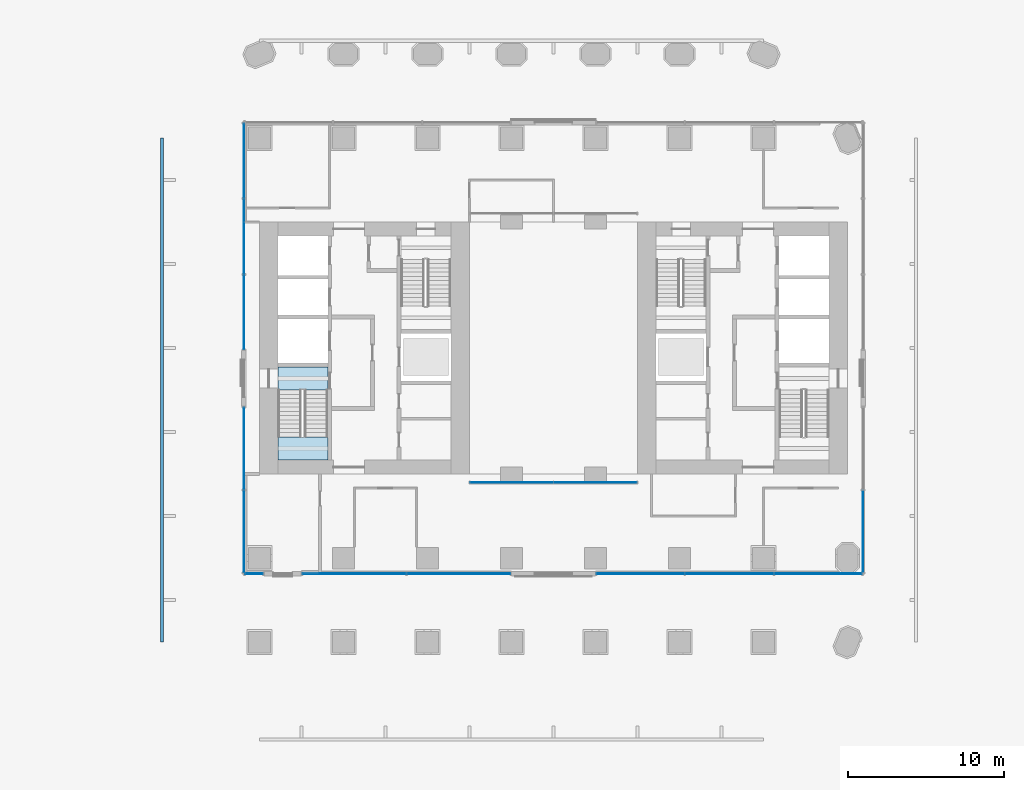
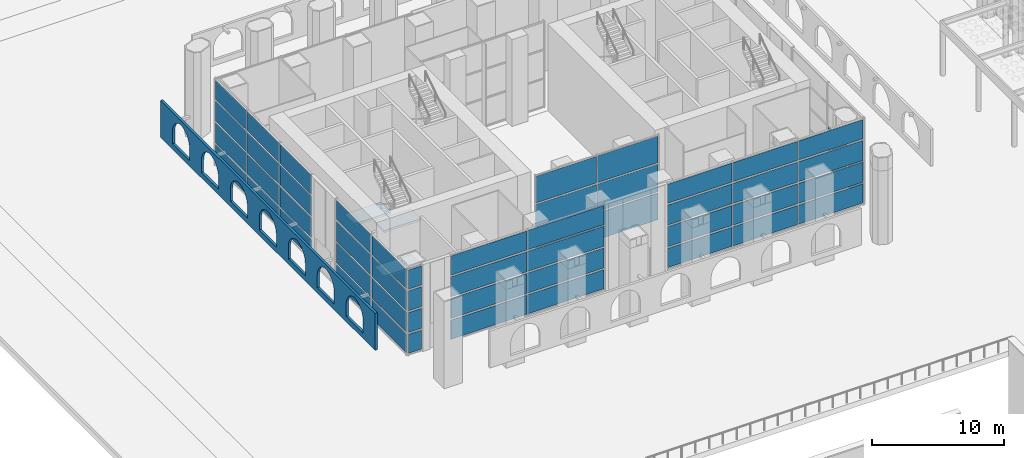
# One storey, part 18 of 54: 53 plates, 3 slabs, 8 elements without a shape of their own.
"""IFC4 building model written with IfcOpenShell, lengths in metres."""

from ifc_helpers import new_model, si_unit, direction, frame, origin, origin_2d, place, context, subcontext, project, spatial, polyline, rectangle, outline, extrude, material, layer, layer_set, type_object, element, aggregate, save


model = new_model("IFC4")

# Units and contexts
model_context = context("Model", 3, precision=1e-05, world=origin(), true_north=direction((0.0, 1.0)))
body_context = subcontext(model_context, "Body", "Model", "MODEL_VIEW")
ifc_project = project(units=[si_unit("LENGTHUNIT", "METRE"), si_unit("AREAUNIT", "SQUARE_METRE"), si_unit("VOLUMEUNIT", "CUBIC_METRE"), si_unit("PLANEANGLEUNIT", "RADIAN"), si_unit("MASSUNIT", "GRAM", prefix="KILO")], contexts=[model_context])

# Site, building, storey
site_placement = place(None, origin())
site = spatial("IfcSite", under=ifc_project, at=site_placement, CompositionType="ELEMENT")
building_placement = place(site_placement, origin())
building = spatial("IfcBuilding", under=site, at=building_placement, Name="Tabaq Tower and Sports Hall", CompositionType="ELEMENT")
storey_placement = place(building_placement, origin())
storey = spatial("IfcBuildingStorey", under=building, at=storey_placement, Name="L00", CompositionType="ELEMENT", Elevation=0.0)

# Curtain wall, plates
ifc_material_1 = material(Name="Aluminium alloy 6063-T6 framed glazing", Category="aluminium")
curtain_wall_type_1 = type_object("IfcCurtainWallType", Name="CW1 curtain wall", PredefinedType="USERDEFINED", material=ifc_material_1)
curtain_wall_1_placement = place(storey_placement, origin())
curtain_wall_1 = element("IfcCurtainWall", 1, at=curtain_wall_1_placement, inside=storey, type_object=curtain_wall_type_1, Name="Atrium glazing L00 S", ObjectType="ATRIUM ENCLOSURE", PredefinedType="USERDEFINED")
ifc_material_2 = material(Name="Clear low-emissivity glass 28 mm", Category="glass")
ifc_layer_1 = layer(ifc_material_2, 0.028076171875)
ifc_layer_set_1 = layer_set([ifc_layer_1], Name="CW1 glass panel 28")
plate_type_1 = type_object("IfcPlateType", Name="CW1 glass panel 28", PredefinedType="CURTAIN_PANEL", material=ifc_layer_set_1)
plate_1_placement = place(storey_placement, frame((21.614990234375, 15.64990234375, 0.14013671875), z_axis=(0.0, 0.0, 1.0), x_axis=(1.0, 0.0, 0.0)))
plate_1 = element("IfcPlate", 2, at=plate_1_placement, type_object=plate_type_1, Name="CW1 panel 1.1", PredefinedType="CURTAIN_PANEL", context=body_context, shape_type="SweptSolid", body=[
    extrude(rectangle(XDim=5.31005859375, YDim=0.028076171875, at=origin_2d()), origin(), (0.0, 0.0, 1.0), 2.456787109375),
])
plate_2_placement = place(storey_placement, frame((21.614990234375, 15.64990234375, 2.73681640625), z_axis=(0.0, 0.0, 1.0), x_axis=(1.0, 0.0, 0.0)))
plate_2 = element("IfcPlate", 3, at=plate_2_placement, type_object=plate_type_1, Name="CW1 panel 1.2", PredefinedType="CURTAIN_PANEL", context=body_context, shape_type="SweptSolid", body=[
    extrude(rectangle(XDim=5.31005859375, YDim=0.028076171875, at=origin_2d()), origin(), (0.0, 0.0, 1.0), 2.526611328125),
])
plate_3_placement = place(storey_placement, frame((21.614990234375, 15.64990234375, 5.4033203125), z_axis=(0.0, 0.0, 1.0), x_axis=(1.0, 0.0, 0.0)))
plate_3 = element("IfcPlate", 4, at=plate_3_placement, type_object=plate_type_1, Name="CW1 panel 1.3", PredefinedType="CURTAIN_PANEL", context=body_context, shape_type="SweptSolid", body=[
    extrude(rectangle(XDim=5.31005859375, YDim=0.028076171875, at=origin_2d()), origin(), (0.0, 0.0, 1.0), 2.456787109375),
])
plate_4_placement = place(storey_placement, frame((26.985107421875, 15.64990234375, 0.14013671875), z_axis=(0.0, 0.0, 1.0), x_axis=(1.0, 0.0, 0.0)))
plate_4 = element("IfcPlate", 5, at=plate_4_placement, type_object=plate_type_1, Name="CW1 panel 2.1", PredefinedType="CURTAIN_PANEL", context=body_context, shape_type="SweptSolid", body=[
    extrude(rectangle(XDim=5.31005859375, YDim=0.028076171875, at=origin_2d()), origin(), (0.0, 0.0, 1.0), 2.456787109375),
])
plate_5_placement = place(storey_placement, frame((26.985107421875, 15.64990234375, 2.73681640625), z_axis=(0.0, 0.0, 1.0), x_axis=(1.0, 0.0, 0.0)))
plate_5 = element("IfcPlate", 6, at=plate_5_placement, type_object=plate_type_1, Name="CW1 panel 2.2", PredefinedType="CURTAIN_PANEL", context=body_context, shape_type="SweptSolid", body=[
    extrude(rectangle(XDim=5.31005859375, YDim=0.028076171875, at=origin_2d()), origin(), (0.0, 0.0, 1.0), 2.526611328125),
])
plate_6_placement = place(storey_placement, frame((26.985107421875, 15.64990234375, 5.4033203125), z_axis=(0.0, 0.0, 1.0), x_axis=(1.0, 0.0, 0.0)))
plate_6 = element("IfcPlate", 7, at=plate_6_placement, type_object=plate_type_1, Name="CW1 panel 2.3", PredefinedType="CURTAIN_PANEL", context=body_context, shape_type="SweptSolid", body=[
    extrude(rectangle(XDim=5.31005859375, YDim=0.028076171875, at=origin_2d()), origin(), (0.0, 0.0, 1.0), 2.456787109375),
])
aggregate(curtain_wall_1, [plate_1, plate_2, plate_3, plate_4, plate_5, plate_6])

ifc_material_3 = material(Name="Aluminium alloy 6063-T6 framed glazing", Category="aluminium")
curtain_wall_type_2 = type_object("IfcCurtainWallType", Name="CW4 curtain wall", PredefinedType="USERDEFINED", material=ifc_material_3)
curtain_wall_2_placement = place(storey_placement, origin())
curtain_wall_2 = element("IfcCurtainWall", 8, at=curtain_wall_2_placement, inside=storey, type_object=curtain_wall_type_2, Name="Ground lobby wall S", ObjectType="GROUND LOBBY WALL", PredefinedType="USERDEFINED")
ifc_material_4 = material(Name="Clear low-emissivity glass 28 mm", Category="glass")
ifc_layer_2 = layer(ifc_material_4, 0.035888671875)
ifc_layer_set_2 = layer_set([ifc_layer_2], Name="CW4 glass panel 36")
plate_type_2 = type_object("IfcPlateType", Name="CW4 glass panel 36", PredefinedType="CURTAIN_PANEL", material=ifc_layer_set_2)
plate_7_placement = place(storey_placement, frame((41.313232421875, 9.800048828125, 0.16015625), z_axis=(0.0, 0.0, 1.0), x_axis=(-1.0, 0.0, 0.0)))
plate_7 = element("IfcPlate", 9, at=plate_7_placement, type_object=plate_type_2, Name="CW4 panel 1.1", PredefinedType="CURTAIN_PANEL", context=body_context, shape_type="SweptSolid", body=[
    extrude(rectangle(XDim=5.61328125, YDim=0.035888671875, at=origin_2d()), origin(), (0.0, 0.0, 1.0), 1.760009765625),
])
plate_8_placement = place(storey_placement, frame((41.313232421875, 9.800048828125, 2.080078125), z_axis=(0.0, 0.0, 1.0), x_axis=(-1.0, 0.0, 0.0)))
plate_8 = element("IfcPlate", 10, at=plate_8_placement, type_object=plate_type_2, Name="CW4 panel 1.2", PredefinedType="CURTAIN_PANEL", context=body_context, shape_type="SweptSolid", body=[
    extrude(rectangle(XDim=5.61328125, YDim=0.035888671875, at=origin_2d()), origin(), (0.0, 0.0, 1.0), 1.840087890625),
])
plate_9_placement = place(storey_placement, frame((41.313232421875, 9.800048828125, 4.080078125), z_axis=(0.0, 0.0, 1.0), x_axis=(-1.0, 0.0, 0.0)))
plate_9 = element("IfcPlate", 11, at=plate_9_placement, type_object=plate_type_2, Name="CW4 panel 1.3", PredefinedType="CURTAIN_PANEL", context=body_context, shape_type="SweptSolid", body=[
    extrude(rectangle(XDim=5.61328125, YDim=0.035888671875, at=origin_2d()), origin(), (0.0, 0.0, 1.0), 1.840087890625),
])
plate_10_placement = place(storey_placement, frame((41.313232421875, 9.800048828125, 6.080078125), z_axis=(0.0, 0.0, 1.0), x_axis=(-1.0, 0.0, 0.0)))
plate_10 = element("IfcPlate", 12, at=plate_10_placement, type_object=plate_type_2, Name="CW4 panel 1.4", PredefinedType="CURTAIN_PANEL", context=body_context, shape_type="SweptSolid", body=[
    extrude(rectangle(XDim=5.61328125, YDim=0.035888671875, at=origin_2d()), origin(), (0.0, 0.0, 1.0), 1.760009765625),
])
plate_11_placement = place(storey_placement, frame((35.60009765625, 9.800048828125, 0.16015625), z_axis=(0.0, 0.0, 1.0), x_axis=(-1.0, 0.0, 0.0)))
plate_11 = element("IfcPlate", 13, at=plate_11_placement, type_object=plate_type_2, Name="CW4 panel 2.1", PredefinedType="CURTAIN_PANEL", context=body_context, shape_type="SweptSolid", body=[
    extrude(rectangle(XDim=5.6533203125, YDim=0.035888671875, at=origin_2d()), origin(), (0.0, 0.0, 1.0), 1.760009765625),
])
plate_12_placement = place(storey_placement, frame((35.60009765625, 9.800048828125, 2.080078125), z_axis=(0.0, 0.0, 1.0), x_axis=(-1.0, 0.0, 0.0)))
plate_12 = element("IfcPlate", 14, at=plate_12_placement, type_object=plate_type_2, Name="CW4 panel 2.2", PredefinedType="CURTAIN_PANEL", context=body_context, shape_type="SweptSolid", body=[
    extrude(rectangle(XDim=5.6533203125, YDim=0.035888671875, at=origin_2d()), origin(), (0.0, 0.0, 1.0), 1.840087890625),
])
plate_13_placement = place(storey_placement, frame((35.60009765625, 9.800048828125, 4.080078125), z_axis=(0.0, 0.0, 1.0), x_axis=(-1.0, 0.0, 0.0)))
plate_13 = element("IfcPlate", 15, at=plate_13_placement, type_object=plate_type_2, Name="CW4 panel 2.3", PredefinedType="CURTAIN_PANEL", context=body_context, shape_type="SweptSolid", body=[
    extrude(rectangle(XDim=5.6533203125, YDim=0.035888671875, at=origin_2d()), origin(), (0.0, 0.0, 1.0), 1.840087890625),
])
plate_14_placement = place(storey_placement, frame((35.60009765625, 9.800048828125, 6.080078125), z_axis=(0.0, 0.0, 1.0), x_axis=(-1.0, 0.0, 0.0)))
plate_14 = element("IfcPlate", 16, at=plate_14_placement, type_object=plate_type_2, Name="CW4 panel 2.4", PredefinedType="CURTAIN_PANEL", context=body_context, shape_type="SweptSolid", body=[
    extrude(rectangle(XDim=5.6533203125, YDim=0.035888671875, at=origin_2d()), origin(), (0.0, 0.0, 1.0), 1.760009765625),
])
plate_15_placement = place(storey_placement, frame((29.88671875, 9.800048828125, 0.16015625), z_axis=(0.0, 0.0, 1.0), x_axis=(-1.0, 0.0, 0.0)))
plate_15 = element("IfcPlate", 17, at=plate_15_placement, type_object=plate_type_2, Name="CW4 panel 3.1", PredefinedType="CURTAIN_PANEL", context=body_context, shape_type="SweptSolid", body=[
    extrude(rectangle(XDim=5.61328125, YDim=0.035888671875, at=origin_2d()), origin(), (0.0, 0.0, 1.0), 1.760009765625),
])
plate_16_placement = place(storey_placement, frame((29.88671875, 9.800048828125, 2.080078125), z_axis=(0.0, 0.0, 1.0), x_axis=(-1.0, 0.0, 0.0)))
plate_16 = element("IfcPlate", 18, at=plate_16_placement, type_object=plate_type_2, Name="CW4 panel 3.2", PredefinedType="CURTAIN_PANEL", context=body_context, shape_type="SweptSolid", body=[
    extrude(rectangle(XDim=5.61328125, YDim=0.035888671875, at=origin_2d()), origin(), (0.0, 0.0, 1.0), 1.840087890625),
])
plate_17_placement = place(storey_placement, frame((29.88671875, 9.800048828125, 4.080078125), z_axis=(0.0, 0.0, 1.0), x_axis=(-1.0, 0.0, 0.0)))
plate_17 = element("IfcPlate", 19, at=plate_17_placement, type_object=plate_type_2, Name="CW4 panel 3.3", PredefinedType="CURTAIN_PANEL", context=body_context, shape_type="SweptSolid", body=[
    extrude(rectangle(XDim=5.61328125, YDim=0.035888671875, at=origin_2d()), origin(), (0.0, 0.0, 1.0), 1.840087890625),
])
plate_18_placement = place(storey_placement, frame((29.88671875, 9.800048828125, 6.080078125), z_axis=(0.0, 0.0, 1.0), x_axis=(-1.0, 0.0, 0.0)))
plate_18 = element("IfcPlate", 20, at=plate_18_placement, type_object=plate_type_2, Name="CW4 panel 3.4", PredefinedType="CURTAIN_PANEL", context=body_context, shape_type="SweptSolid", body=[
    extrude(rectangle(XDim=5.61328125, YDim=0.035888671875, at=origin_2d()), origin(), (0.0, 0.0, 1.0), 1.760009765625),
])
aggregate(curtain_wall_2, [plate_7, plate_8, plate_9, plate_10, plate_11, plate_12, plate_13, plate_14, plate_15, plate_16, plate_17, plate_18])

curtain_wall_3_placement = place(storey_placement, origin())
curtain_wall_3 = element("IfcCurtainWall", 21, at=curtain_wall_3_placement, inside=storey, type_object=curtain_wall_type_2, Name="Ground lobby wall S", ObjectType="GROUND LOBBY WALL", PredefinedType="USERDEFINED")
plate_19_placement = place(storey_placement, frame((18.205078125, 9.800048828125, 0.16015625), z_axis=(0.0, 0.0, 1.0), x_axis=(-1.0, 0.0, 0.0)))
plate_19 = element("IfcPlate", 22, at=plate_19_placement, type_object=plate_type_2, Name="CW4 panel 1.1", PredefinedType="CURTAIN_PANEL", context=body_context, shape_type="SweptSolid", body=[
    extrude(rectangle(XDim=6.6298828125, YDim=0.035888671875, at=origin_2d()), origin(), (0.0, 0.0, 1.0), 1.760009765625),
])
plate_20_placement = place(storey_placement, frame((18.205078125, 9.800048828125, 2.080078125), z_axis=(0.0, 0.0, 1.0), x_axis=(-1.0, 0.0, 0.0)))
plate_20 = element("IfcPlate", 23, at=plate_20_placement, type_object=plate_type_2, Name="CW4 panel 1.2", PredefinedType="CURTAIN_PANEL", context=body_context, shape_type="SweptSolid", body=[
    extrude(rectangle(XDim=6.6298828125, YDim=0.035888671875, at=origin_2d()), origin(), (0.0, 0.0, 1.0), 1.840087890625),
])
plate_21_placement = place(storey_placement, frame((18.205078125, 9.800048828125, 4.080078125), z_axis=(0.0, 0.0, 1.0), x_axis=(-1.0, 0.0, 0.0)))
plate_21 = element("IfcPlate", 24, at=plate_21_placement, type_object=plate_type_2, Name="CW4 panel 1.3", PredefinedType="CURTAIN_PANEL", context=body_context, shape_type="SweptSolid", body=[
    extrude(rectangle(XDim=6.6298828125, YDim=0.035888671875, at=origin_2d()), origin(), (0.0, 0.0, 1.0), 1.840087890625),
])
plate_22_placement = place(storey_placement, frame((18.205078125, 9.800048828125, 6.080078125), z_axis=(0.0, 0.0, 1.0), x_axis=(-1.0, 0.0, 0.0)))
plate_22 = element("IfcPlate", 25, at=plate_22_placement, type_object=plate_type_2, Name="CW4 panel 1.4", PredefinedType="CURTAIN_PANEL", context=body_context, shape_type="SweptSolid", body=[
    extrude(rectangle(XDim=6.6298828125, YDim=0.035888671875, at=origin_2d()), origin(), (0.0, 0.0, 1.0), 1.760009765625),
])
plate_23_placement = place(storey_placement, frame((11.4951171875, 9.800048828125, 0.16015625), z_axis=(0.0, 0.0, 1.0), x_axis=(-1.0, 0.0, 0.0)))
plate_23 = element("IfcPlate", 26, at=plate_23_placement, type_object=plate_type_2, Name="CW4 panel 2.1", PredefinedType="CURTAIN_PANEL", context=body_context, shape_type="SweptSolid", body=[
    extrude(rectangle(XDim=6.6298828125, YDim=0.035888671875, at=origin_2d()), origin(), (0.0, 0.0, 1.0), 1.760009765625),
])
plate_24_placement = place(storey_placement, frame((11.4951171875, 9.800048828125, 2.080078125), z_axis=(0.0, 0.0, 1.0), x_axis=(-1.0, 0.0, 0.0)))
plate_24 = element("IfcPlate", 27, at=plate_24_placement, type_object=plate_type_2, Name="CW4 panel 2.2", PredefinedType="CURTAIN_PANEL", context=body_context, shape_type="SweptSolid", body=[
    extrude(rectangle(XDim=6.6298828125, YDim=0.035888671875, at=origin_2d()), origin(), (0.0, 0.0, 1.0), 1.840087890625),
])
plate_25_placement = place(storey_placement, frame((11.4951171875, 9.800048828125, 4.080078125), z_axis=(0.0, 0.0, 1.0), x_axis=(-1.0, 0.0, 0.0)))
plate_25 = element("IfcPlate", 28, at=plate_25_placement, type_object=plate_type_2, Name="CW4 panel 2.3", PredefinedType="CURTAIN_PANEL", context=body_context, shape_type="SweptSolid", body=[
    extrude(rectangle(XDim=6.6298828125, YDim=0.035888671875, at=origin_2d()), origin(), (0.0, 0.0, 1.0), 1.840087890625),
])
plate_26_placement = place(storey_placement, frame((11.4951171875, 9.800048828125, 6.080078125), z_axis=(0.0, 0.0, 1.0), x_axis=(-1.0, 0.0, 0.0)))
plate_26 = element("IfcPlate", 29, at=plate_26_placement, type_object=plate_type_2, Name="CW4 panel 2.4", PredefinedType="CURTAIN_PANEL", context=body_context, shape_type="SweptSolid", body=[
    extrude(rectangle(XDim=6.6298828125, YDim=0.035888671875, at=origin_2d()), origin(), (0.0, 0.0, 1.0), 1.760009765625),
])
aggregate(curtain_wall_3, [plate_19, plate_20, plate_21, plate_22, plate_23, plate_24, plate_25, plate_26])

curtain_wall_4_placement = place(storey_placement, origin())
curtain_wall_4 = element("IfcCurtainWall", 30, at=curtain_wall_4_placement, inside=storey, type_object=curtain_wall_type_2, Name="Ground lobby wall S", ObjectType="GROUND LOBBY WALL", PredefinedType="USERDEFINED")
plate_27_placement = place(storey_placement, frame((5.050048828125, 9.800048828125, 0.16015625), z_axis=(0.0, 0.0, 1.0), x_axis=(-1.0, 0.0, 0.0)))
plate_27 = element("IfcPlate", 31, at=plate_27_placement, type_object=plate_type_2, Name="CW4 panel 1.1", PredefinedType="CURTAIN_PANEL", context=body_context, shape_type="SweptSolid", body=[
    extrude(rectangle(XDim=1.139892578125, YDim=0.035888671875, at=origin_2d()), origin(), (0.0, 0.0, 1.0), 1.760009765625),
])
plate_28_placement = place(storey_placement, frame((5.050048828125, 9.800048828125, 2.080078125), z_axis=(0.0, 0.0, 1.0), x_axis=(-1.0, 0.0, 0.0)))
plate_28 = element("IfcPlate", 32, at=plate_28_placement, type_object=plate_type_2, Name="CW4 panel 1.2", PredefinedType="CURTAIN_PANEL", context=body_context, shape_type="SweptSolid", body=[
    extrude(rectangle(XDim=1.139892578125, YDim=0.035888671875, at=origin_2d()), origin(), (0.0, 0.0, 1.0), 1.840087890625),
])
plate_29_placement = place(storey_placement, frame((5.050048828125, 9.800048828125, 4.080078125), z_axis=(0.0, 0.0, 1.0), x_axis=(-1.0, 0.0, 0.0)))
plate_29 = element("IfcPlate", 33, at=plate_29_placement, type_object=plate_type_2, Name="CW4 panel 1.3", PredefinedType="CURTAIN_PANEL", context=body_context, shape_type="SweptSolid", body=[
    extrude(rectangle(XDim=1.139892578125, YDim=0.035888671875, at=origin_2d()), origin(), (0.0, 0.0, 1.0), 1.840087890625),
])
plate_30_placement = place(storey_placement, frame((5.050048828125, 9.800048828125, 6.080078125), z_axis=(0.0, 0.0, 1.0), x_axis=(-1.0, 0.0, 0.0)))
plate_30 = element("IfcPlate", 34, at=plate_30_placement, type_object=plate_type_2, Name="CW4 panel 1.4", PredefinedType="CURTAIN_PANEL", context=body_context, shape_type="SweptSolid", body=[
    extrude(rectangle(XDim=1.139892578125, YDim=0.035888671875, at=origin_2d()), origin(), (0.0, 0.0, 1.0), 1.760009765625),
])
aggregate(curtain_wall_4, [plate_27, plate_28, plate_29, plate_30])

curtain_wall_5_placement = place(storey_placement, origin())
curtain_wall_5 = element("IfcCurtainWall", 35, at=curtain_wall_5_placement, inside=storey, type_object=curtain_wall_type_2, Name="Ground lobby wall W", ObjectType="GROUND LOBBY WALL", PredefinedType="USERDEFINED")
plate_31_placement = place(storey_placement, frame((4.39990234375, 12.507568359375, 0.16015625), z_axis=(0.0, 0.0, 1.0), x_axis=(0.0, 1.0, 0.0)))
plate_31 = element("IfcPlate", 36, at=plate_31_placement, type_object=plate_type_2, Name="CW4 panel 1.1", PredefinedType="CURTAIN_PANEL", context=body_context, shape_type="SweptSolid", body=[
    extrude(rectangle(XDim=5.2548828125, YDim=0.035888671875, at=origin_2d()), origin(), (0.0, 0.0, 1.0), 1.760009765625),
])
plate_32_placement = place(storey_placement, frame((4.39990234375, 12.507568359375, 2.080078125), z_axis=(0.0, 0.0, 1.0), x_axis=(0.0, 1.0, 0.0)))
plate_32 = element("IfcPlate", 37, at=plate_32_placement, type_object=plate_type_2, Name="CW4 panel 1.2", PredefinedType="CURTAIN_PANEL", context=body_context, shape_type="SweptSolid", body=[
    extrude(rectangle(XDim=5.2548828125, YDim=0.035888671875, at=origin_2d()), origin(), (0.0, 0.0, 1.0), 1.840087890625),
])
plate_33_placement = place(storey_placement, frame((4.39990234375, 12.507568359375, 4.080078125), z_axis=(0.0, 0.0, 1.0), x_axis=(0.0, 1.0, 0.0)))
plate_33 = element("IfcPlate", 38, at=plate_33_placement, type_object=plate_type_2, Name="CW4 panel 1.3", PredefinedType="CURTAIN_PANEL", context=body_context, shape_type="SweptSolid", body=[
    extrude(rectangle(XDim=5.2548828125, YDim=0.035888671875, at=origin_2d()), origin(), (0.0, 0.0, 1.0), 1.840087890625),
])
plate_34_placement = place(storey_placement, frame((4.39990234375, 12.507568359375, 6.080078125), z_axis=(0.0, 0.0, 1.0), x_axis=(0.0, 1.0, 0.0)))
plate_34 = element("IfcPlate", 39, at=plate_34_placement, type_object=plate_type_2, Name="CW4 panel 1.4", PredefinedType="CURTAIN_PANEL", context=body_context, shape_type="SweptSolid", body=[
    extrude(rectangle(XDim=5.2548828125, YDim=0.035888671875, at=origin_2d()), origin(), (0.0, 0.0, 1.0), 1.760009765625),
])
plate_35_placement = place(storey_placement, frame((4.39990234375, 17.842529296875, 0.16015625), z_axis=(0.0, 0.0, 1.0), x_axis=(0.0, 1.0, 0.0)))
plate_35 = element("IfcPlate", 40, at=plate_35_placement, type_object=plate_type_2, Name="CW4 panel 2.1", PredefinedType="CURTAIN_PANEL", context=body_context, shape_type="SweptSolid", body=[
    extrude(rectangle(XDim=5.2548828125, YDim=0.035888671875, at=origin_2d()), origin(), (0.0, 0.0, 1.0), 1.760009765625),
])
plate_36_placement = place(storey_placement, frame((4.39990234375, 17.842529296875, 2.080078125), z_axis=(0.0, 0.0, 1.0), x_axis=(0.0, 1.0, 0.0)))
plate_36 = element("IfcPlate", 41, at=plate_36_placement, type_object=plate_type_2, Name="CW4 panel 2.2", PredefinedType="CURTAIN_PANEL", context=body_context, shape_type="SweptSolid", body=[
    extrude(rectangle(XDim=5.2548828125, YDim=0.035888671875, at=origin_2d()), origin(), (0.0, 0.0, 1.0), 1.840087890625),
])
plate_37_placement = place(storey_placement, frame((4.39990234375, 17.842529296875, 4.080078125), z_axis=(0.0, 0.0, 1.0), x_axis=(0.0, 1.0, 0.0)))
plate_37 = element("IfcPlate", 42, at=plate_37_placement, type_object=plate_type_2, Name="CW4 panel 2.3", PredefinedType="CURTAIN_PANEL", context=body_context, shape_type="SweptSolid", body=[
    extrude(rectangle(XDim=5.2548828125, YDim=0.035888671875, at=origin_2d()), origin(), (0.0, 0.0, 1.0), 1.840087890625),
])
plate_38_placement = place(storey_placement, frame((4.39990234375, 17.842529296875, 6.080078125), z_axis=(0.0, 0.0, 1.0), x_axis=(0.0, 1.0, 0.0)))
plate_38 = element("IfcPlate", 43, at=plate_38_placement, type_object=plate_type_2, Name="CW4 panel 2.4", PredefinedType="CURTAIN_PANEL", context=body_context, shape_type="SweptSolid", body=[
    extrude(rectangle(XDim=5.2548828125, YDim=0.035888671875, at=origin_2d()), origin(), (0.0, 0.0, 1.0), 1.760009765625),
])
aggregate(curtain_wall_5, [plate_31, plate_32, plate_33, plate_34, plate_35, plate_36, plate_37, plate_38])

curtain_wall_6_placement = place(storey_placement, origin())
curtain_wall_6 = element("IfcCurtainWall", 44, at=curtain_wall_6_placement, inside=storey, type_object=curtain_wall_type_2, Name="Ground lobby wall W", ObjectType="GROUND LOBBY WALL", PredefinedType="USERDEFINED")
plate_39_placement = place(storey_placement, frame((4.39990234375, 26.611572265625, 0.16015625), z_axis=(0.0, 0.0, 1.0), x_axis=(0.0, 1.0, 0.0)))
plate_39 = element("IfcPlate", 45, at=plate_39_placement, type_object=plate_type_2, Name="CW4 panel 1.1", PredefinedType="CURTAIN_PANEL", context=body_context, shape_type="SweptSolid", body=[
    extrude(rectangle(XDim=4.763427734375, YDim=0.035888671875, at=origin_2d()), origin(), (0.0, 0.0, 1.0), 1.760009765625),
])
plate_40_placement = place(storey_placement, frame((4.39990234375, 26.611572265625, 2.080078125), z_axis=(0.0, 0.0, 1.0), x_axis=(0.0, 1.0, 0.0)))
plate_40 = element("IfcPlate", 46, at=plate_40_placement, type_object=plate_type_2, Name="CW4 panel 1.2", PredefinedType="CURTAIN_PANEL", context=body_context, shape_type="SweptSolid", body=[
    extrude(rectangle(XDim=4.763427734375, YDim=0.035888671875, at=origin_2d()), origin(), (0.0, 0.0, 1.0), 1.840087890625),
])
plate_41_placement = place(storey_placement, frame((4.39990234375, 26.611572265625, 4.080078125), z_axis=(0.0, 0.0, 1.0), x_axis=(0.0, 1.0, 0.0)))
plate_41 = element("IfcPlate", 47, at=plate_41_placement, type_object=plate_type_2, Name="CW4 panel 1.3", PredefinedType="CURTAIN_PANEL", context=body_context, shape_type="SweptSolid", body=[
    extrude(rectangle(XDim=4.763427734375, YDim=0.035888671875, at=origin_2d()), origin(), (0.0, 0.0, 1.0), 1.840087890625),
])
plate_42_placement = place(storey_placement, frame((4.39990234375, 26.611572265625, 6.080078125), z_axis=(0.0, 0.0, 1.0), x_axis=(0.0, 1.0, 0.0)))
plate_42 = element("IfcPlate", 48, at=plate_42_placement, type_object=plate_type_2, Name="CW4 panel 1.4", PredefinedType="CURTAIN_PANEL", context=body_context, shape_type="SweptSolid", body=[
    extrude(rectangle(XDim=4.763427734375, YDim=0.035888671875, at=origin_2d()), origin(), (0.0, 0.0, 1.0), 1.760009765625),
])
plate_43_placement = place(storey_placement, frame((4.39990234375, 31.47509765625, 0.16015625), z_axis=(0.0, 0.0, 1.0), x_axis=(0.0, 1.0, 0.0)))
plate_43 = element("IfcPlate", 49, at=plate_43_placement, type_object=plate_type_2, Name="CW4 panel 2.1", PredefinedType="CURTAIN_PANEL", context=body_context, shape_type="SweptSolid", body=[
    extrude(rectangle(XDim=4.80322265625, YDim=0.035888671875, at=origin_2d()), origin(), (0.0, 0.0, 1.0), 1.760009765625),
])
plate_44_placement = place(storey_placement, frame((4.39990234375, 31.47509765625, 2.080078125), z_axis=(0.0, 0.0, 1.0), x_axis=(0.0, 1.0, 0.0)))
plate_44 = element("IfcPlate", 50, at=plate_44_placement, type_object=plate_type_2, Name="CW4 panel 2.2", PredefinedType="CURTAIN_PANEL", context=body_context, shape_type="SweptSolid", body=[
    extrude(rectangle(XDim=4.80322265625, YDim=0.035888671875, at=origin_2d()), origin(), (0.0, 0.0, 1.0), 1.840087890625),
])
plate_45_placement = place(storey_placement, frame((4.39990234375, 31.47509765625, 4.080078125), z_axis=(0.0, 0.0, 1.0), x_axis=(0.0, 1.0, 0.0)))
plate_45 = element("IfcPlate", 51, at=plate_45_placement, type_object=plate_type_2, Name="CW4 panel 2.3", PredefinedType="CURTAIN_PANEL", context=body_context, shape_type="SweptSolid", body=[
    extrude(rectangle(XDim=4.80322265625, YDim=0.035888671875, at=origin_2d()), origin(), (0.0, 0.0, 1.0), 1.840087890625),
])
plate_46_placement = place(storey_placement, frame((4.39990234375, 31.47509765625, 6.080078125), z_axis=(0.0, 0.0, 1.0), x_axis=(0.0, 1.0, 0.0)))
plate_46 = element("IfcPlate", 52, at=plate_46_placement, type_object=plate_type_2, Name="CW4 panel 2.4", PredefinedType="CURTAIN_PANEL", context=body_context, shape_type="SweptSolid", body=[
    extrude(rectangle(XDim=4.80322265625, YDim=0.035888671875, at=origin_2d()), origin(), (0.0, 0.0, 1.0), 1.760009765625),
])
plate_47_placement = place(storey_placement, frame((4.39990234375, 36.33837890625, 0.16015625), z_axis=(0.0, 0.0, 1.0), x_axis=(0.0, 1.0, 0.0)))
plate_47 = element("IfcPlate", 53, at=plate_47_placement, type_object=plate_type_2, Name="CW4 panel 3.1", PredefinedType="CURTAIN_PANEL", context=body_context, shape_type="SweptSolid", body=[
    extrude(rectangle(XDim=4.763427734375, YDim=0.035888671875, at=origin_2d()), origin(), (0.0, 0.0, 1.0), 1.760009765625),
])
plate_48_placement = place(storey_placement, frame((4.39990234375, 36.33837890625, 2.080078125), z_axis=(0.0, 0.0, 1.0), x_axis=(0.0, 1.0, 0.0)))
plate_48 = element("IfcPlate", 54, at=plate_48_placement, type_object=plate_type_2, Name="CW4 panel 3.2", PredefinedType="CURTAIN_PANEL", context=body_context, shape_type="SweptSolid", body=[
    extrude(rectangle(XDim=4.763427734375, YDim=0.035888671875, at=origin_2d()), origin(), (0.0, 0.0, 1.0), 1.840087890625),
])
plate_49_placement = place(storey_placement, frame((4.39990234375, 36.33837890625, 4.080078125), z_axis=(0.0, 0.0, 1.0), x_axis=(0.0, 1.0, 0.0)))
plate_49 = element("IfcPlate", 55, at=plate_49_placement, type_object=plate_type_2, Name="CW4 panel 3.3", PredefinedType="CURTAIN_PANEL", context=body_context, shape_type="SweptSolid", body=[
    extrude(rectangle(XDim=4.763427734375, YDim=0.035888671875, at=origin_2d()), origin(), (0.0, 0.0, 1.0), 1.840087890625),
])
plate_50_placement = place(storey_placement, frame((4.39990234375, 36.33837890625, 6.080078125), z_axis=(0.0, 0.0, 1.0), x_axis=(0.0, 1.0, 0.0)))
plate_50 = element("IfcPlate", 56, at=plate_50_placement, type_object=plate_type_2, Name="CW4 panel 3.4", PredefinedType="CURTAIN_PANEL", context=body_context, shape_type="SweptSolid", body=[
    extrude(rectangle(XDim=4.763427734375, YDim=0.035888671875, at=origin_2d()), origin(), (0.0, 0.0, 1.0), 1.760009765625),
])
aggregate(curtain_wall_6, [plate_39, plate_40, plate_41, plate_42, plate_43, plate_44, plate_45, plate_46, plate_47, plate_48, plate_49, plate_50])

curtain_wall_7_placement = place(storey_placement, origin())
curtain_wall_7 = element("IfcCurtainWall", 57, at=curtain_wall_7_placement, inside=storey, type_object=curtain_wall_type_2, Name="Ground lobby wall E", ObjectType="GROUND LOBBY WALL", PredefinedType="USERDEFINED")
plate_51_placement = place(storey_placement, frame((44.199951171875, 12.507568359375, 0.16015625), z_axis=(0.0, 0.0, 1.0), x_axis=(0.0, -1.0, 0.0)))
plate_51 = element("IfcPlate", 58, at=plate_51_placement, type_object=plate_type_2, Name="CW4 panel 2.1", PredefinedType="CURTAIN_PANEL", context=body_context, shape_type="SweptSolid", body=[
    extrude(rectangle(XDim=5.2548828125, YDim=0.035888671875, at=origin_2d()), origin(), (0.0, 0.0, 1.0), 1.760009765625),
])
plate_52_placement = place(storey_placement, frame((44.199951171875, 12.507568359375, 2.080078125), z_axis=(0.0, 0.0, 1.0), x_axis=(0.0, -1.0, 0.0)))
plate_52 = element("IfcPlate", 59, at=plate_52_placement, type_object=plate_type_2, Name="CW4 panel 2.2", PredefinedType="CURTAIN_PANEL", context=body_context, shape_type="SweptSolid", body=[
    extrude(rectangle(XDim=5.2548828125, YDim=0.035888671875, at=origin_2d()), origin(), (0.0, 0.0, 1.0), 1.840087890625),
])
aggregate(curtain_wall_7, [plate_51, plate_52])

# Stair, slabs
ifc_material_5 = material(Name="Concrete C40/50", Category="concrete")
stair_type = type_object("IfcStairType", Name="Exit stair", PredefinedType="HALF_TURN_STAIR", material=ifc_material_5)
stair_placement = place(storey_placement, origin())
stair = element("IfcStair", 60, at=stair_placement, inside=storey, type_object=stair_type, Name="L00 Exit stair ST1", PredefinedType="HALF_TURN_STAIR")
ifc_material_6 = material(Name="Concrete C40/50", Category="concrete")
ifc_layer_3 = layer(ifc_material_6, 0.199951171875)
ifc_layer_set_3 = layer_set([ifc_layer_3], Name="Exit stair landing")
slab_type = type_object("IfcSlabType", Name="Exit stair landing", PredefinedType="LANDING", material=ifc_layer_set_3)
slab_1_placement = place(storey_placement, frame((0.0, 0.0, 1.89990234375)))
slab_1 = element("IfcSlab", 61, at=slab_1_placement, type_object=slab_type, Name="ST1 landing 1", PredefinedType="LANDING", context=body_context, shape_type="SweptSolid", body=[
    extrude(outline(polyline([(6.60009765625, 18.60009765625), (6.60009765625, 17.10009765625), (9.800048828125, 17.10009765625), (9.800048828125, 18.60009765625), (6.60009765625, 18.60009765625)])), origin(), (0.0, 0.0, 1.0), 0.2001953125),
])
slab_2_placement = place(storey_placement, frame((0.0, 0.0, 4.0)))
slab_2 = element("IfcSlab", 62, at=slab_2_placement, type_object=slab_type, Name="ST1 landing 2", PredefinedType="LANDING", context=body_context, shape_type="SweptSolid", body=[
    extrude(outline(polyline([(6.60009765625, 23.10009765625), (6.60009765625, 21.60009765625), (9.800048828125, 21.60009765625), (9.800048828125, 23.10009765625), (6.60009765625, 23.10009765625)])), origin(), (0.0, 0.0, 1.0), 0.199951171875),
])
slab_3_placement = place(storey_placement, frame((0.0, 0.0, 6.10009765625)))
slab_3 = element("IfcSlab", 63, at=slab_3_placement, type_object=slab_type, Name="ST1 landing 3", PredefinedType="LANDING", context=body_context, shape_type="SweptSolid", body=[
    extrude(outline(polyline([(6.60009765625, 18.60009765625), (6.60009765625, 17.10009765625), (9.800048828125, 17.10009765625), (9.800048828125, 18.60009765625), (6.60009765625, 18.60009765625)])), origin(), (0.0, 0.0, 1.0), 0.199951171875),
])
aggregate(stair, [slab_1, slab_2, slab_3])

# Plate
ifc_material_7 = material(Name="White precast concrete C60/75 pierced screen", Category="concrete")
ifc_layer_4 = layer(ifc_material_7, 0.199951171875)
ifc_layer_set_4 = layer_set([ifc_layer_4], Name="White precast concrete C60/75 arcade screen 200")
plate_type_3 = type_object("IfcPlateType", Name="White precast concrete C60/75 arcade screen 200", PredefinedType="USERDEFINED", material=ifc_layer_set_4)
plate_53_placement = place(storey_placement, frame((-0.85009765625, 37.800048828125, 5.0), z_axis=(0.0, 0.0, 1.0), x_axis=(0.0, -1.0, 0.0)))
element("IfcPlate", 64, at=plate_53_placement, inside=storey, type_object=plate_type_3, Name="Arcade screen W", ObjectType="SCREEN", PredefinedType="USERDEFINED", context=body_context, shape_type="SweptSolid", body=[
    extrude(outline(polyline([(0.0, 0.0), (32.400146484375, 0.0), (32.400146484375, 3.39990234375), (0.0, 3.39990234375), (0.0, 0.0)]), holes=[polyline([(1.800048828125, 0.5), (4.371337890625, 0.5), (4.371337890625, 1.60009765625), (4.34716796875, 1.859375), (4.275634765625, 2.10986328125), (4.158935546875, 2.343017578125), (4.001220703125, 2.55029296875), (3.807861328125, 2.72509765625), (3.585693359375, 2.861328125), (3.34228515625, 2.953857421875), (3.085693359375, 3.0), (2.829345703125, 2.953857421875), (2.585693359375, 2.861328125), (2.363525390625, 2.72509765625), (2.170166015625, 2.55029296875), (2.012451171875, 2.343017578125), (1.895751953125, 2.10986328125), (1.82421875, 1.859375), (1.800048828125, 1.60009765625), (1.800048828125, 0.5)]), polyline([(6.17138671875, 0.5), (8.742919921875, 0.5), (8.742919921875, 1.60009765625), (8.71875, 1.859375), (8.64697265625, 2.10986328125), (8.5302734375, 2.343017578125), (8.37255859375, 2.55029296875), (8.179443359375, 2.72509765625), (7.95703125, 2.861328125), (7.713623046875, 2.953857421875), (7.45703125, 3.0), (7.20068359375, 2.953857421875), (6.95703125, 2.861328125), (6.73486328125, 2.72509765625), (6.54150390625, 2.55029296875), (6.384033203125, 2.343017578125), (6.267333984375, 2.10986328125), (6.195556640625, 1.859375), (6.17138671875, 1.60009765625), (6.17138671875, 0.5)]), polyline([(10.54296875, 0.5), (13.1142578125, 0.5), (13.1142578125, 1.60009765625), (13.090087890625, 1.859375), (13.0185546875, 2.10986328125), (12.90185546875, 2.343017578125), (12.744140625, 2.55029296875), (12.55078125, 2.72509765625), (12.32861328125, 2.861328125), (12.0849609375, 2.953857421875), (11.82861328125, 3.0), (11.572021484375, 2.953857421875), (11.32861328125, 2.861328125), (11.1064453125, 2.72509765625), (10.9130859375, 2.55029296875), (10.75537109375, 2.343017578125), (10.638671875, 2.10986328125), (10.567138671875, 1.859375), (10.54296875, 1.60009765625), (10.54296875, 0.5)]), polyline([(14.914306640625, 0.5), (17.485595703125, 0.5), (17.485595703125, 1.60009765625), (17.461669921875, 1.859375), (17.389892578125, 2.10986328125), (17.273193359375, 2.343017578125), (17.115478515625, 2.55029296875), (16.922119140625, 2.72509765625), (16.699951171875, 2.861328125), (16.45654296875, 2.953857421875), (16.199951171875, 3.0), (15.943603515625, 2.953857421875), (15.699951171875, 2.861328125), (15.477783203125, 2.72509765625), (15.284423828125, 2.55029296875), (15.126708984375, 2.343017578125), (15.010009765625, 2.10986328125), (14.9384765625, 1.859375), (14.914306640625, 1.60009765625), (14.914306640625, 0.5)]), polyline([(19.28564453125, 0.5), (21.857177734375, 0.5), (21.857177734375, 1.60009765625), (21.8330078125, 1.859375), (21.76123046875, 2.10986328125), (21.64453125, 2.343017578125), (21.487060546875, 2.55029296875), (21.293701171875, 2.72509765625), (21.071533203125, 2.861328125), (20.827880859375, 2.953857421875), (20.571533203125, 3.0), (20.31494140625, 2.953857421875), (20.071533203125, 2.861328125), (19.84912109375, 2.72509765625), (19.656005859375, 2.55029296875), (19.498291015625, 2.343017578125), (19.381591796875, 2.10986328125), (19.309814453125, 1.859375), (19.28564453125, 1.60009765625), (19.28564453125, 0.5)]), polyline([(23.6572265625, 0.5), (26.228515625, 0.5), (26.228515625, 1.60009765625), (26.204345703125, 1.859375), (26.1328125, 2.10986328125), (26.01611328125, 2.343017578125), (25.8583984375, 2.55029296875), (25.6650390625, 2.72509765625), (25.44287109375, 2.861328125), (25.19921875, 2.953857421875), (24.94287109375, 3.0), (24.686279296875, 2.953857421875), (24.44287109375, 2.861328125), (24.220703125, 2.72509765625), (24.02734375, 2.55029296875), (23.86962890625, 2.343017578125), (23.7529296875, 2.10986328125), (23.681396484375, 1.859375), (23.6572265625, 1.60009765625), (23.6572265625, 0.5)]), polyline([(28.028564453125, 0.5), (30.60009765625, 0.5), (30.60009765625, 1.60009765625), (30.575927734375, 1.859375), (30.504150390625, 2.10986328125), (30.387451171875, 2.343017578125), (30.229736328125, 2.55029296875), (30.03662109375, 2.72509765625), (29.814208984375, 2.861328125), (29.57080078125, 2.953857421875), (29.314208984375, 3.0), (29.057861328125, 2.953857421875), (28.814208984375, 2.861328125), (28.592041015625, 2.72509765625), (28.398681640625, 2.55029296875), (28.240966796875, 2.343017578125), (28.124267578125, 2.10986328125), (28.052734375, 1.859375), (28.028564453125, 1.60009765625), (28.028564453125, 0.5)])]), frame((0.0, 0.10009765625, 0.0), z_axis=(0.0, -1.0, 0.0), x_axis=(1.0, 0.0, 0.0)), (0.0, 0.0, 1.0), 0.199951171875),
])

save(model, "model.ifc")
